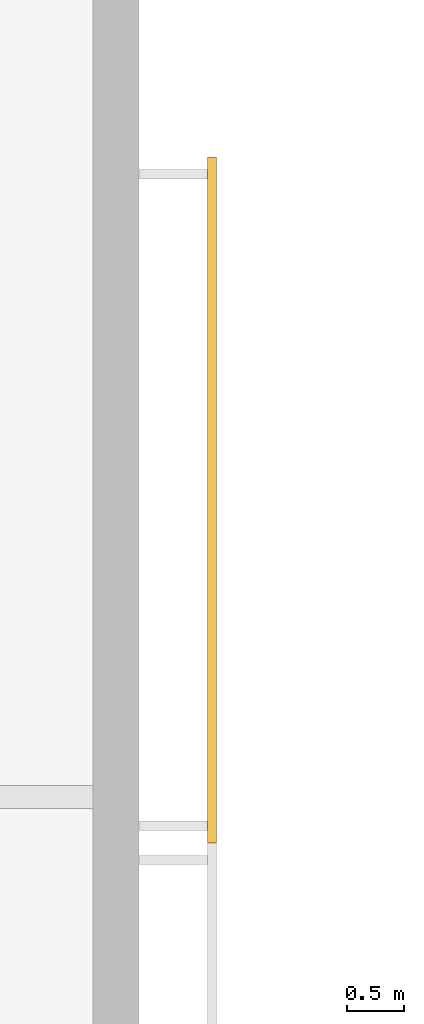
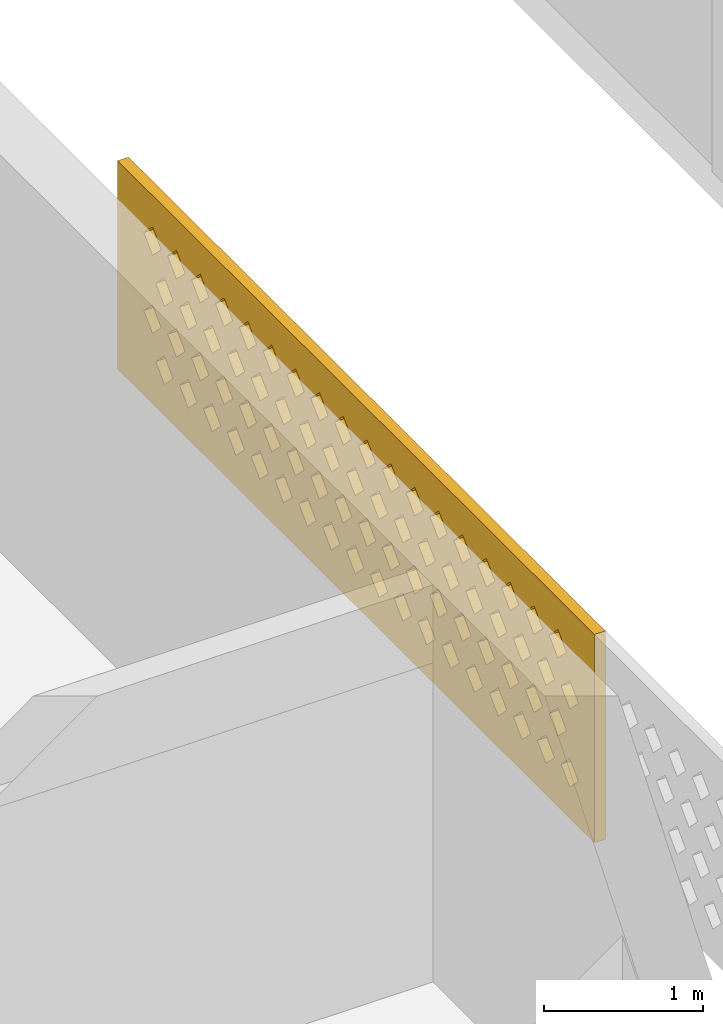
# One storey, part 14 of 18: 1 covering.
"""IFC4 building model written with IfcOpenShell, lengths in metres."""

from ifc_helpers import new_model, si_unit, direction, frame, origin, place, context, subcontext, project, spatial, polyline, outline, extrude, source, transform, mapped, material, material_profile, profile_set, type_object, element, save


model = new_model("IFC4")

# Units and contexts
model_context = context("Model", 3, precision=1e-05, world=origin(), true_north=direction((0.0, 1.0)))
body_context = subcontext(model_context, "Body", "Model", "MODEL_VIEW")
ifc_project = project(units=[si_unit("LENGTHUNIT", "METRE"), si_unit("AREAUNIT", "SQUARE_METRE"), si_unit("VOLUMEUNIT", "CUBIC_METRE"), si_unit("PLANEANGLEUNIT", "RADIAN"), si_unit("MASSUNIT", "GRAM", prefix="KILO")], contexts=[model_context])

# Site, building, storey
site_placement = place(None, origin())
site = spatial("IfcSite", under=ifc_project, at=site_placement, CompositionType="ELEMENT")
building_placement = place(site_placement, origin())
building = spatial("IfcBuilding", under=site, at=building_placement, Name="Poui Terraces", CompositionType="ELEMENT")
storey_placement = place(building_placement, frame((0.0, 0.0, 275.699951171875)))
storey = spatial("IfcBuildingStorey", under=building, at=storey_placement, Name="L76 CROWN", CompositionType="ELEMENT", Elevation=275.699951171875)

# Covering
ifc_material = material(Name="Terracotta screen", Category="masonry")
ifc_material_profile = material_profile(ifc_material, outline(polyline([(-3.0, -0.800048828125), (3.0, -0.800048828125), (3.0, 0.800048828125), (-3.0, 0.800048828125), (-3.0, -0.800048828125)]), holes=[polyline([(-2.800048828125, -0.449951171875), (-2.68994140625, -0.56005859375), (-2.580078125, -0.449951171875), (-2.68994140625, -0.340087890625), (-2.800048828125, -0.449951171875)]), polyline([(-2.5, -0.449951171875), (-2.389892578125, -0.56005859375), (-2.280029296875, -0.449951171875), (-2.389892578125, -0.340087890625), (-2.5, -0.449951171875)]), polyline([(-2.199951171875, -0.449951171875), (-2.090087890625, -0.56005859375), (-1.97998046875, -0.449951171875), (-2.090087890625, -0.340087890625), (-2.199951171875, -0.449951171875)]), polyline([(-1.89990234375, -0.449951171875), (-1.7900390625, -0.56005859375), (-1.679931640625, -0.449951171875), (-1.7900390625, -0.340087890625), (-1.89990234375, -0.449951171875)]), polyline([(-1.60009765625, -0.449951171875), (-1.489990234375, -0.56005859375), (-1.3798828125, -0.449951171875), (-1.489990234375, -0.340087890625), (-1.60009765625, -0.449951171875)]), polyline([(-1.300048828125, -0.449951171875), (-1.18994140625, -0.56005859375), (-1.080078125, -0.449951171875), (-1.18994140625, -0.340087890625), (-1.300048828125, -0.449951171875)]), polyline([(-1.0, -0.449951171875), (-0.889892578125, -0.56005859375), (-0.780029296875, -0.449951171875), (-0.889892578125, -0.340087890625), (-1.0, -0.449951171875)]), polyline([(-0.699951171875, -0.449951171875), (-0.590087890625, -0.56005859375), (-0.47998046875, -0.449951171875), (-0.590087890625, -0.340087890625), (-0.699951171875, -0.449951171875)]), polyline([(-0.39990234375, -0.449951171875), (-0.2900390625, -0.56005859375), (-0.179931640625, -0.449951171875), (-0.2900390625, -0.340087890625), (-0.39990234375, -0.449951171875)]), polyline([(-0.10009765625, -0.449951171875), (0.010009765625, -0.56005859375), (0.1201171875, -0.449951171875), (0.010009765625, -0.340087890625), (-0.10009765625, -0.449951171875)]), polyline([(0.199951171875, -0.449951171875), (0.31005859375, -0.56005859375), (0.419921875, -0.449951171875), (0.31005859375, -0.340087890625), (0.199951171875, -0.449951171875)]), polyline([(0.5, -0.449951171875), (0.610107421875, -0.56005859375), (0.719970703125, -0.449951171875), (0.610107421875, -0.340087890625), (0.5, -0.449951171875)]), polyline([(0.800048828125, -0.449951171875), (0.909912109375, -0.56005859375), (1.02001953125, -0.449951171875), (0.909912109375, -0.340087890625), (0.800048828125, -0.449951171875)]), polyline([(1.10009765625, -0.449951171875), (1.2099609375, -0.56005859375), (1.320068359375, -0.449951171875), (1.2099609375, -0.340087890625), (1.10009765625, -0.449951171875)]), polyline([(1.39990234375, -0.449951171875), (1.510009765625, -0.56005859375), (1.6201171875, -0.449951171875), (1.510009765625, -0.340087890625), (1.39990234375, -0.449951171875)]), polyline([(1.699951171875, -0.449951171875), (1.81005859375, -0.56005859375), (1.919921875, -0.449951171875), (1.81005859375, -0.340087890625), (1.699951171875, -0.449951171875)]), polyline([(2.0, -0.449951171875), (2.110107421875, -0.56005859375), (2.219970703125, -0.449951171875), (2.110107421875, -0.340087890625), (2.0, -0.449951171875)]), polyline([(2.300048828125, -0.449951171875), (2.409912109375, -0.56005859375), (2.52001953125, -0.449951171875), (2.409912109375, -0.340087890625), (2.300048828125, -0.449951171875)]), polyline([(-2.64990234375, -0.14990234375), (-2.5400390625, -0.260009765625), (-2.429931640625, -0.14990234375), (-2.5400390625, -0.0400390625), (-2.64990234375, -0.14990234375)]), polyline([(-2.35009765625, -0.14990234375), (-2.239990234375, -0.260009765625), (-2.1298828125, -0.14990234375), (-2.239990234375, -0.0400390625), (-2.35009765625, -0.14990234375)]), polyline([(-2.050048828125, -0.14990234375), (-1.93994140625, -0.260009765625), (-1.830078125, -0.14990234375), (-1.93994140625, -0.0400390625), (-2.050048828125, -0.14990234375)]), polyline([(-1.75, -0.14990234375), (-1.639892578125, -0.260009765625), (-1.530029296875, -0.14990234375), (-1.639892578125, -0.0400390625), (-1.75, -0.14990234375)]), polyline([(-1.449951171875, -0.14990234375), (-1.340087890625, -0.260009765625), (-1.22998046875, -0.14990234375), (-1.340087890625, -0.0400390625), (-1.449951171875, -0.14990234375)]), polyline([(-1.14990234375, -0.14990234375), (-1.0400390625, -0.260009765625), (-0.929931640625, -0.14990234375), (-1.0400390625, -0.0400390625), (-1.14990234375, -0.14990234375)]), polyline([(-0.85009765625, -0.14990234375), (-0.739990234375, -0.260009765625), (-0.6298828125, -0.14990234375), (-0.739990234375, -0.0400390625), (-0.85009765625, -0.14990234375)]), polyline([(-0.550048828125, -0.14990234375), (-0.43994140625, -0.260009765625), (-0.330078125, -0.14990234375), (-0.43994140625, -0.0400390625), (-0.550048828125, -0.14990234375)]), polyline([(-0.25, -0.14990234375), (-0.139892578125, -0.260009765625), (-0.030029296875, -0.14990234375), (-0.139892578125, -0.0400390625), (-0.25, -0.14990234375)]), polyline([(0.050048828125, -0.14990234375), (0.159912109375, -0.260009765625), (0.27001953125, -0.14990234375), (0.159912109375, -0.0400390625), (0.050048828125, -0.14990234375)]), polyline([(0.35009765625, -0.14990234375), (0.4599609375, -0.260009765625), (0.570068359375, -0.14990234375), (0.4599609375, -0.0400390625), (0.35009765625, -0.14990234375)]), polyline([(0.64990234375, -0.14990234375), (0.760009765625, -0.260009765625), (0.8701171875, -0.14990234375), (0.760009765625, -0.0400390625), (0.64990234375, -0.14990234375)]), polyline([(0.949951171875, -0.14990234375), (1.06005859375, -0.260009765625), (1.169921875, -0.14990234375), (1.06005859375, -0.0400390625), (0.949951171875, -0.14990234375)]), polyline([(1.25, -0.14990234375), (1.360107421875, -0.260009765625), (1.469970703125, -0.14990234375), (1.360107421875, -0.0400390625), (1.25, -0.14990234375)]), polyline([(1.550048828125, -0.14990234375), (1.659912109375, -0.260009765625), (1.77001953125, -0.14990234375), (1.659912109375, -0.0400390625), (1.550048828125, -0.14990234375)]), polyline([(1.85009765625, -0.14990234375), (1.9599609375, -0.260009765625), (2.070068359375, -0.14990234375), (1.9599609375, -0.0400390625), (1.85009765625, -0.14990234375)]), polyline([(2.14990234375, -0.14990234375), (2.260009765625, -0.260009765625), (2.3701171875, -0.14990234375), (2.260009765625, -0.0400390625), (2.14990234375, -0.14990234375)]), polyline([(2.449951171875, -0.14990234375), (2.56005859375, -0.260009765625), (2.669921875, -0.14990234375), (2.56005859375, -0.0400390625), (2.449951171875, -0.14990234375)]), polyline([(-2.800048828125, 0.14990234375), (-2.68994140625, 0.0400390625), (-2.580078125, 0.14990234375), (-2.68994140625, 0.260009765625), (-2.800048828125, 0.14990234375)]), polyline([(-2.5, 0.14990234375), (-2.389892578125, 0.0400390625), (-2.280029296875, 0.14990234375), (-2.389892578125, 0.260009765625), (-2.5, 0.14990234375)]), polyline([(-2.199951171875, 0.14990234375), (-2.090087890625, 0.0400390625), (-1.97998046875, 0.14990234375), (-2.090087890625, 0.260009765625), (-2.199951171875, 0.14990234375)]), polyline([(-1.89990234375, 0.14990234375), (-1.7900390625, 0.0400390625), (-1.679931640625, 0.14990234375), (-1.7900390625, 0.260009765625), (-1.89990234375, 0.14990234375)]), polyline([(-1.60009765625, 0.14990234375), (-1.489990234375, 0.0400390625), (-1.3798828125, 0.14990234375), (-1.489990234375, 0.260009765625), (-1.60009765625, 0.14990234375)]), polyline([(-1.300048828125, 0.14990234375), (-1.18994140625, 0.0400390625), (-1.080078125, 0.14990234375), (-1.18994140625, 0.260009765625), (-1.300048828125, 0.14990234375)]), polyline([(-1.0, 0.14990234375), (-0.889892578125, 0.0400390625), (-0.780029296875, 0.14990234375), (-0.889892578125, 0.260009765625), (-1.0, 0.14990234375)]), polyline([(-0.699951171875, 0.14990234375), (-0.590087890625, 0.0400390625), (-0.47998046875, 0.14990234375), (-0.590087890625, 0.260009765625), (-0.699951171875, 0.14990234375)]), polyline([(-0.39990234375, 0.14990234375), (-0.2900390625, 0.0400390625), (-0.179931640625, 0.14990234375), (-0.2900390625, 0.260009765625), (-0.39990234375, 0.14990234375)]), polyline([(-0.10009765625, 0.14990234375), (0.010009765625, 0.0400390625), (0.1201171875, 0.14990234375), (0.010009765625, 0.260009765625), (-0.10009765625, 0.14990234375)]), polyline([(0.199951171875, 0.14990234375), (0.31005859375, 0.0400390625), (0.419921875, 0.14990234375), (0.31005859375, 0.260009765625), (0.199951171875, 0.14990234375)]), polyline([(0.5, 0.14990234375), (0.610107421875, 0.0400390625), (0.719970703125, 0.14990234375), (0.610107421875, 0.260009765625), (0.5, 0.14990234375)]), polyline([(0.800048828125, 0.14990234375), (0.909912109375, 0.0400390625), (1.02001953125, 0.14990234375), (0.909912109375, 0.260009765625), (0.800048828125, 0.14990234375)]), polyline([(1.10009765625, 0.14990234375), (1.2099609375, 0.0400390625), (1.320068359375, 0.14990234375), (1.2099609375, 0.260009765625), (1.10009765625, 0.14990234375)]), polyline([(1.39990234375, 0.14990234375), (1.510009765625, 0.0400390625), (1.6201171875, 0.14990234375), (1.510009765625, 0.260009765625), (1.39990234375, 0.14990234375)]), polyline([(1.699951171875, 0.14990234375), (1.81005859375, 0.0400390625), (1.919921875, 0.14990234375), (1.81005859375, 0.260009765625), (1.699951171875, 0.14990234375)]), polyline([(2.0, 0.14990234375), (2.110107421875, 0.0400390625), (2.219970703125, 0.14990234375), (2.110107421875, 0.260009765625), (2.0, 0.14990234375)]), polyline([(2.300048828125, 0.14990234375), (2.409912109375, 0.0400390625), (2.52001953125, 0.14990234375), (2.409912109375, 0.260009765625), (2.300048828125, 0.14990234375)]), polyline([(-2.64990234375, 0.449951171875), (-2.5400390625, 0.340087890625), (-2.429931640625, 0.449951171875), (-2.5400390625, 0.56005859375), (-2.64990234375, 0.449951171875)]), polyline([(-2.35009765625, 0.449951171875), (-2.239990234375, 0.340087890625), (-2.1298828125, 0.449951171875), (-2.239990234375, 0.56005859375), (-2.35009765625, 0.449951171875)]), polyline([(-2.050048828125, 0.449951171875), (-1.93994140625, 0.340087890625), (-1.830078125, 0.449951171875), (-1.93994140625, 0.56005859375), (-2.050048828125, 0.449951171875)]), polyline([(-1.75, 0.449951171875), (-1.639892578125, 0.340087890625), (-1.530029296875, 0.449951171875), (-1.639892578125, 0.56005859375), (-1.75, 0.449951171875)]), polyline([(-1.449951171875, 0.449951171875), (-1.340087890625, 0.340087890625), (-1.22998046875, 0.449951171875), (-1.340087890625, 0.56005859375), (-1.449951171875, 0.449951171875)]), polyline([(-1.14990234375, 0.449951171875), (-1.0400390625, 0.340087890625), (-0.929931640625, 0.449951171875), (-1.0400390625, 0.56005859375), (-1.14990234375, 0.449951171875)]), polyline([(-0.85009765625, 0.449951171875), (-0.739990234375, 0.340087890625), (-0.6298828125, 0.449951171875), (-0.739990234375, 0.56005859375), (-0.85009765625, 0.449951171875)]), polyline([(-0.550048828125, 0.449951171875), (-0.43994140625, 0.340087890625), (-0.330078125, 0.449951171875), (-0.43994140625, 0.56005859375), (-0.550048828125, 0.449951171875)]), polyline([(-0.25, 0.449951171875), (-0.139892578125, 0.340087890625), (-0.030029296875, 0.449951171875), (-0.139892578125, 0.56005859375), (-0.25, 0.449951171875)]), polyline([(0.050048828125, 0.449951171875), (0.159912109375, 0.340087890625), (0.27001953125, 0.449951171875), (0.159912109375, 0.56005859375), (0.050048828125, 0.449951171875)]), polyline([(0.35009765625, 0.449951171875), (0.4599609375, 0.340087890625), (0.570068359375, 0.449951171875), (0.4599609375, 0.56005859375), (0.35009765625, 0.449951171875)]), polyline([(0.64990234375, 0.449951171875), (0.760009765625, 0.340087890625), (0.8701171875, 0.449951171875), (0.760009765625, 0.56005859375), (0.64990234375, 0.449951171875)]), polyline([(0.949951171875, 0.449951171875), (1.06005859375, 0.340087890625), (1.169921875, 0.449951171875), (1.06005859375, 0.56005859375), (0.949951171875, 0.449951171875)]), polyline([(1.25, 0.449951171875), (1.360107421875, 0.340087890625), (1.469970703125, 0.449951171875), (1.360107421875, 0.56005859375), (1.25, 0.449951171875)]), polyline([(1.550048828125, 0.449951171875), (1.659912109375, 0.340087890625), (1.77001953125, 0.449951171875), (1.659912109375, 0.56005859375), (1.550048828125, 0.449951171875)]), polyline([(1.85009765625, 0.449951171875), (1.9599609375, 0.340087890625), (2.070068359375, 0.449951171875), (1.9599609375, 0.56005859375), (1.85009765625, 0.449951171875)]), polyline([(2.14990234375, 0.449951171875), (2.260009765625, 0.340087890625), (2.3701171875, 0.449951171875), (2.260009765625, 0.56005859375), (2.14990234375, 0.449951171875)]), polyline([(2.449951171875, 0.449951171875), (2.56005859375, 0.340087890625), (2.669921875, 0.449951171875), (2.56005859375, 0.56005859375), (2.449951171875, 0.449951171875)])]), Name="TERRACOTTA SOLAR SCREEN 6000X1600")
ifc_profile_set = profile_set([ifc_material_profile], Name="Terracotta screen")
covering_type = type_object("IfcCoveringType", Name="TERRACOTTA SOLAR SCREEN 6000X1600", PredefinedType="CLADDING", material=ifc_profile_set)
shared_shape = source(origin(), body_context, "Body", "SweptSolid", [
    extrude(outline(polyline([(-3.0, -0.800048828125), (3.0, -0.800048828125), (3.0, 0.800048828125), (-3.0, 0.800048828125), (-3.0, -0.800048828125)]), holes=[polyline([(-2.800048828125, -0.449951171875), (-2.68994140625, -0.56005859375), (-2.580078125, -0.449951171875), (-2.68994140625, -0.340087890625), (-2.800048828125, -0.449951171875)]), polyline([(-2.5, -0.449951171875), (-2.389892578125, -0.56005859375), (-2.280029296875, -0.449951171875), (-2.389892578125, -0.340087890625), (-2.5, -0.449951171875)]), polyline([(-2.199951171875, -0.449951171875), (-2.090087890625, -0.56005859375), (-1.97998046875, -0.449951171875), (-2.090087890625, -0.340087890625), (-2.199951171875, -0.449951171875)]), polyline([(-1.89990234375, -0.449951171875), (-1.7900390625, -0.56005859375), (-1.679931640625, -0.449951171875), (-1.7900390625, -0.340087890625), (-1.89990234375, -0.449951171875)]), polyline([(-1.60009765625, -0.449951171875), (-1.489990234375, -0.56005859375), (-1.3798828125, -0.449951171875), (-1.489990234375, -0.340087890625), (-1.60009765625, -0.449951171875)]), polyline([(-1.300048828125, -0.449951171875), (-1.18994140625, -0.56005859375), (-1.080078125, -0.449951171875), (-1.18994140625, -0.340087890625), (-1.300048828125, -0.449951171875)]), polyline([(-1.0, -0.449951171875), (-0.889892578125, -0.56005859375), (-0.780029296875, -0.449951171875), (-0.889892578125, -0.340087890625), (-1.0, -0.449951171875)]), polyline([(-0.699951171875, -0.449951171875), (-0.590087890625, -0.56005859375), (-0.47998046875, -0.449951171875), (-0.590087890625, -0.340087890625), (-0.699951171875, -0.449951171875)]), polyline([(-0.39990234375, -0.449951171875), (-0.2900390625, -0.56005859375), (-0.179931640625, -0.449951171875), (-0.2900390625, -0.340087890625), (-0.39990234375, -0.449951171875)]), polyline([(-0.10009765625, -0.449951171875), (0.010009765625, -0.56005859375), (0.1201171875, -0.449951171875), (0.010009765625, -0.340087890625), (-0.10009765625, -0.449951171875)]), polyline([(0.199951171875, -0.449951171875), (0.31005859375, -0.56005859375), (0.419921875, -0.449951171875), (0.31005859375, -0.340087890625), (0.199951171875, -0.449951171875)]), polyline([(0.5, -0.449951171875), (0.610107421875, -0.56005859375), (0.719970703125, -0.449951171875), (0.610107421875, -0.340087890625), (0.5, -0.449951171875)]), polyline([(0.800048828125, -0.449951171875), (0.909912109375, -0.56005859375), (1.02001953125, -0.449951171875), (0.909912109375, -0.340087890625), (0.800048828125, -0.449951171875)]), polyline([(1.10009765625, -0.449951171875), (1.2099609375, -0.56005859375), (1.320068359375, -0.449951171875), (1.2099609375, -0.340087890625), (1.10009765625, -0.449951171875)]), polyline([(1.39990234375, -0.449951171875), (1.510009765625, -0.56005859375), (1.6201171875, -0.449951171875), (1.510009765625, -0.340087890625), (1.39990234375, -0.449951171875)]), polyline([(1.699951171875, -0.449951171875), (1.81005859375, -0.56005859375), (1.919921875, -0.449951171875), (1.81005859375, -0.340087890625), (1.699951171875, -0.449951171875)]), polyline([(2.0, -0.449951171875), (2.110107421875, -0.56005859375), (2.219970703125, -0.449951171875), (2.110107421875, -0.340087890625), (2.0, -0.449951171875)]), polyline([(2.300048828125, -0.449951171875), (2.409912109375, -0.56005859375), (2.52001953125, -0.449951171875), (2.409912109375, -0.340087890625), (2.300048828125, -0.449951171875)]), polyline([(-2.64990234375, -0.14990234375), (-2.5400390625, -0.260009765625), (-2.429931640625, -0.14990234375), (-2.5400390625, -0.0400390625), (-2.64990234375, -0.14990234375)]), polyline([(-2.35009765625, -0.14990234375), (-2.239990234375, -0.260009765625), (-2.1298828125, -0.14990234375), (-2.239990234375, -0.0400390625), (-2.35009765625, -0.14990234375)]), polyline([(-2.050048828125, -0.14990234375), (-1.93994140625, -0.260009765625), (-1.830078125, -0.14990234375), (-1.93994140625, -0.0400390625), (-2.050048828125, -0.14990234375)]), polyline([(-1.75, -0.14990234375), (-1.639892578125, -0.260009765625), (-1.530029296875, -0.14990234375), (-1.639892578125, -0.0400390625), (-1.75, -0.14990234375)]), polyline([(-1.449951171875, -0.14990234375), (-1.340087890625, -0.260009765625), (-1.22998046875, -0.14990234375), (-1.340087890625, -0.0400390625), (-1.449951171875, -0.14990234375)]), polyline([(-1.14990234375, -0.14990234375), (-1.0400390625, -0.260009765625), (-0.929931640625, -0.14990234375), (-1.0400390625, -0.0400390625), (-1.14990234375, -0.14990234375)]), polyline([(-0.85009765625, -0.14990234375), (-0.739990234375, -0.260009765625), (-0.6298828125, -0.14990234375), (-0.739990234375, -0.0400390625), (-0.85009765625, -0.14990234375)]), polyline([(-0.550048828125, -0.14990234375), (-0.43994140625, -0.260009765625), (-0.330078125, -0.14990234375), (-0.43994140625, -0.0400390625), (-0.550048828125, -0.14990234375)]), polyline([(-0.25, -0.14990234375), (-0.139892578125, -0.260009765625), (-0.030029296875, -0.14990234375), (-0.139892578125, -0.0400390625), (-0.25, -0.14990234375)]), polyline([(0.050048828125, -0.14990234375), (0.159912109375, -0.260009765625), (0.27001953125, -0.14990234375), (0.159912109375, -0.0400390625), (0.050048828125, -0.14990234375)]), polyline([(0.35009765625, -0.14990234375), (0.4599609375, -0.260009765625), (0.570068359375, -0.14990234375), (0.4599609375, -0.0400390625), (0.35009765625, -0.14990234375)]), polyline([(0.64990234375, -0.14990234375), (0.760009765625, -0.260009765625), (0.8701171875, -0.14990234375), (0.760009765625, -0.0400390625), (0.64990234375, -0.14990234375)]), polyline([(0.949951171875, -0.14990234375), (1.06005859375, -0.260009765625), (1.169921875, -0.14990234375), (1.06005859375, -0.0400390625), (0.949951171875, -0.14990234375)]), polyline([(1.25, -0.14990234375), (1.360107421875, -0.260009765625), (1.469970703125, -0.14990234375), (1.360107421875, -0.0400390625), (1.25, -0.14990234375)]), polyline([(1.550048828125, -0.14990234375), (1.659912109375, -0.260009765625), (1.77001953125, -0.14990234375), (1.659912109375, -0.0400390625), (1.550048828125, -0.14990234375)]), polyline([(1.85009765625, -0.14990234375), (1.9599609375, -0.260009765625), (2.070068359375, -0.14990234375), (1.9599609375, -0.0400390625), (1.85009765625, -0.14990234375)]), polyline([(2.14990234375, -0.14990234375), (2.260009765625, -0.260009765625), (2.3701171875, -0.14990234375), (2.260009765625, -0.0400390625), (2.14990234375, -0.14990234375)]), polyline([(2.449951171875, -0.14990234375), (2.56005859375, -0.260009765625), (2.669921875, -0.14990234375), (2.56005859375, -0.0400390625), (2.449951171875, -0.14990234375)]), polyline([(-2.800048828125, 0.14990234375), (-2.68994140625, 0.0400390625), (-2.580078125, 0.14990234375), (-2.68994140625, 0.260009765625), (-2.800048828125, 0.14990234375)]), polyline([(-2.5, 0.14990234375), (-2.389892578125, 0.0400390625), (-2.280029296875, 0.14990234375), (-2.389892578125, 0.260009765625), (-2.5, 0.14990234375)]), polyline([(-2.199951171875, 0.14990234375), (-2.090087890625, 0.0400390625), (-1.97998046875, 0.14990234375), (-2.090087890625, 0.260009765625), (-2.199951171875, 0.14990234375)]), polyline([(-1.89990234375, 0.14990234375), (-1.7900390625, 0.0400390625), (-1.679931640625, 0.14990234375), (-1.7900390625, 0.260009765625), (-1.89990234375, 0.14990234375)]), polyline([(-1.60009765625, 0.14990234375), (-1.489990234375, 0.0400390625), (-1.3798828125, 0.14990234375), (-1.489990234375, 0.260009765625), (-1.60009765625, 0.14990234375)]), polyline([(-1.300048828125, 0.14990234375), (-1.18994140625, 0.0400390625), (-1.080078125, 0.14990234375), (-1.18994140625, 0.260009765625), (-1.300048828125, 0.14990234375)]), polyline([(-1.0, 0.14990234375), (-0.889892578125, 0.0400390625), (-0.780029296875, 0.14990234375), (-0.889892578125, 0.260009765625), (-1.0, 0.14990234375)]), polyline([(-0.699951171875, 0.14990234375), (-0.590087890625, 0.0400390625), (-0.47998046875, 0.14990234375), (-0.590087890625, 0.260009765625), (-0.699951171875, 0.14990234375)]), polyline([(-0.39990234375, 0.14990234375), (-0.2900390625, 0.0400390625), (-0.179931640625, 0.14990234375), (-0.2900390625, 0.260009765625), (-0.39990234375, 0.14990234375)]), polyline([(-0.10009765625, 0.14990234375), (0.010009765625, 0.0400390625), (0.1201171875, 0.14990234375), (0.010009765625, 0.260009765625), (-0.10009765625, 0.14990234375)]), polyline([(0.199951171875, 0.14990234375), (0.31005859375, 0.0400390625), (0.419921875, 0.14990234375), (0.31005859375, 0.260009765625), (0.199951171875, 0.14990234375)]), polyline([(0.5, 0.14990234375), (0.610107421875, 0.0400390625), (0.719970703125, 0.14990234375), (0.610107421875, 0.260009765625), (0.5, 0.14990234375)]), polyline([(0.800048828125, 0.14990234375), (0.909912109375, 0.0400390625), (1.02001953125, 0.14990234375), (0.909912109375, 0.260009765625), (0.800048828125, 0.14990234375)]), polyline([(1.10009765625, 0.14990234375), (1.2099609375, 0.0400390625), (1.320068359375, 0.14990234375), (1.2099609375, 0.260009765625), (1.10009765625, 0.14990234375)]), polyline([(1.39990234375, 0.14990234375), (1.510009765625, 0.0400390625), (1.6201171875, 0.14990234375), (1.510009765625, 0.260009765625), (1.39990234375, 0.14990234375)]), polyline([(1.699951171875, 0.14990234375), (1.81005859375, 0.0400390625), (1.919921875, 0.14990234375), (1.81005859375, 0.260009765625), (1.699951171875, 0.14990234375)]), polyline([(2.0, 0.14990234375), (2.110107421875, 0.0400390625), (2.219970703125, 0.14990234375), (2.110107421875, 0.260009765625), (2.0, 0.14990234375)]), polyline([(2.300048828125, 0.14990234375), (2.409912109375, 0.0400390625), (2.52001953125, 0.14990234375), (2.409912109375, 0.260009765625), (2.300048828125, 0.14990234375)]), polyline([(-2.64990234375, 0.449951171875), (-2.5400390625, 0.340087890625), (-2.429931640625, 0.449951171875), (-2.5400390625, 0.56005859375), (-2.64990234375, 0.449951171875)]), polyline([(-2.35009765625, 0.449951171875), (-2.239990234375, 0.340087890625), (-2.1298828125, 0.449951171875), (-2.239990234375, 0.56005859375), (-2.35009765625, 0.449951171875)]), polyline([(-2.050048828125, 0.449951171875), (-1.93994140625, 0.340087890625), (-1.830078125, 0.449951171875), (-1.93994140625, 0.56005859375), (-2.050048828125, 0.449951171875)]), polyline([(-1.75, 0.449951171875), (-1.639892578125, 0.340087890625), (-1.530029296875, 0.449951171875), (-1.639892578125, 0.56005859375), (-1.75, 0.449951171875)]), polyline([(-1.449951171875, 0.449951171875), (-1.340087890625, 0.340087890625), (-1.22998046875, 0.449951171875), (-1.340087890625, 0.56005859375), (-1.449951171875, 0.449951171875)]), polyline([(-1.14990234375, 0.449951171875), (-1.0400390625, 0.340087890625), (-0.929931640625, 0.449951171875), (-1.0400390625, 0.56005859375), (-1.14990234375, 0.449951171875)]), polyline([(-0.85009765625, 0.449951171875), (-0.739990234375, 0.340087890625), (-0.6298828125, 0.449951171875), (-0.739990234375, 0.56005859375), (-0.85009765625, 0.449951171875)]), polyline([(-0.550048828125, 0.449951171875), (-0.43994140625, 0.340087890625), (-0.330078125, 0.449951171875), (-0.43994140625, 0.56005859375), (-0.550048828125, 0.449951171875)]), polyline([(-0.25, 0.449951171875), (-0.139892578125, 0.340087890625), (-0.030029296875, 0.449951171875), (-0.139892578125, 0.56005859375), (-0.25, 0.449951171875)]), polyline([(0.050048828125, 0.449951171875), (0.159912109375, 0.340087890625), (0.27001953125, 0.449951171875), (0.159912109375, 0.56005859375), (0.050048828125, 0.449951171875)]), polyline([(0.35009765625, 0.449951171875), (0.4599609375, 0.340087890625), (0.570068359375, 0.449951171875), (0.4599609375, 0.56005859375), (0.35009765625, 0.449951171875)]), polyline([(0.64990234375, 0.449951171875), (0.760009765625, 0.340087890625), (0.8701171875, 0.449951171875), (0.760009765625, 0.56005859375), (0.64990234375, 0.449951171875)]), polyline([(0.949951171875, 0.449951171875), (1.06005859375, 0.340087890625), (1.169921875, 0.449951171875), (1.06005859375, 0.56005859375), (0.949951171875, 0.449951171875)]), polyline([(1.25, 0.449951171875), (1.360107421875, 0.340087890625), (1.469970703125, 0.449951171875), (1.360107421875, 0.56005859375), (1.25, 0.449951171875)]), polyline([(1.550048828125, 0.449951171875), (1.659912109375, 0.340087890625), (1.77001953125, 0.449951171875), (1.659912109375, 0.56005859375), (1.550048828125, 0.449951171875)]), polyline([(1.85009765625, 0.449951171875), (1.9599609375, 0.340087890625), (2.070068359375, 0.449951171875), (1.9599609375, 0.56005859375), (1.85009765625, 0.449951171875)]), polyline([(2.14990234375, 0.449951171875), (2.260009765625, 0.340087890625), (2.3701171875, 0.449951171875), (2.260009765625, 0.56005859375), (2.14990234375, 0.449951171875)]), polyline([(2.449951171875, 0.449951171875), (2.56005859375, 0.340087890625), (2.669921875, 0.449951171875), (2.56005859375, 0.56005859375), (2.449951171875, 0.449951171875)])]), origin(), (0.0, 0.0, 1.0), 0.079833984375),
])
covering_placement = place(storey_placement, frame((48.800048828125, 33.0, 1.699951171875), z_axis=(1.0, 0.0, 0.0), x_axis=(0.0, 1.0, 0.0)))
element("IfcCovering", 1, at=covering_placement, inside=storey, type_object=covering_type, Name="SOLAR SCREEN", PredefinedType="CLADDING", context=body_context, shape_type="MappedRepresentation", body=[
    mapped(shared_shape, transform((0.0, 0.0, 0.0))),
])

save(model, "model.ifc")
